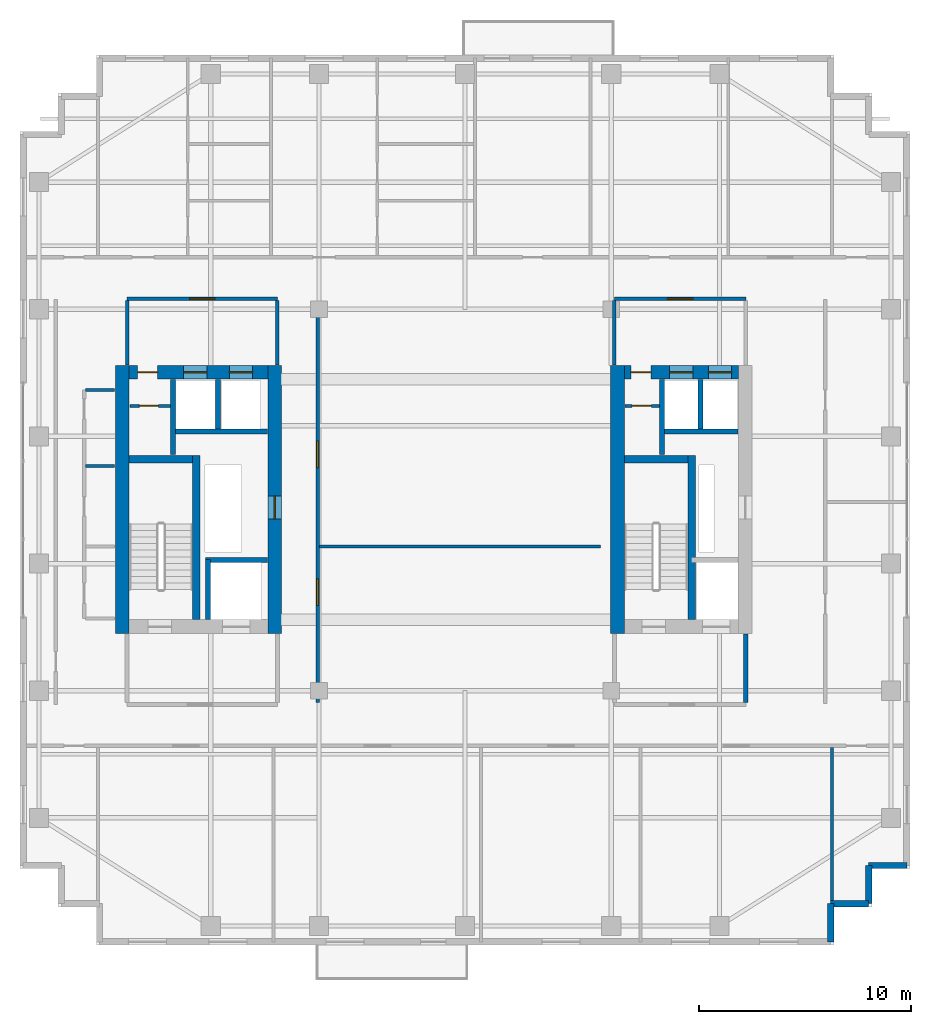
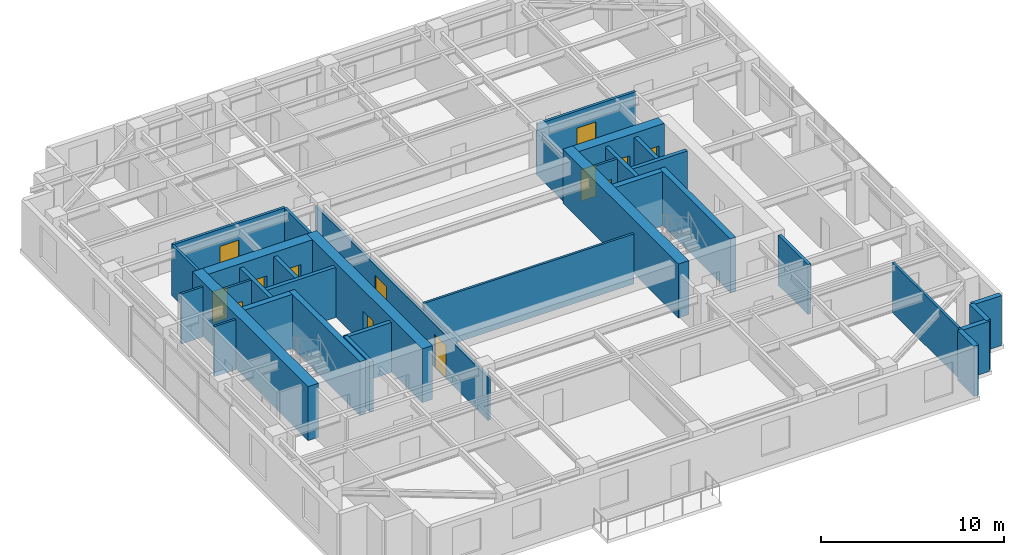
# One storey, part 10 of 14: 34 walls, 13 doors, 13 openings.
"""IFC4 building model written with IfcOpenShell, lengths in metres."""

import ifcopenshell
import ifcopenshell.guid

model = None  # the IFC model being written
_history = None  # IfcOwnerHistory: only IFC2X3 demands one
_inside = {}  # id of a spatial element -> (the spatial element, [elements in it])
_under = {}  # id of a project, library or spatial element -> (it, [spatial elements below it])
_declared = {}  # id of a project -> (the project, [libraries it declares])
_typed = {}  # id of a type object -> (the type object, [elements of that type])
_made_of = {}  # id of a material, layer set ... -> (it, [elements and type objects made of it])


def new_model(schema):
    """Start an empty IFC model of exactly this schema.

    Asked for "IFC4X3", IfcOpenShell would pick the latest addendum, in which some entities
    have other attributes; the version numbers below select the first issue.
    IFC2X3 requires an IfcOwnerHistory on every rooted entity: one is made here for all.
    """
    global model, _history
    if schema == "IFC4X3":
        model = ifcopenshell.file(schema_version=(4, 3, 0, 0))
    else:
        model = ifcopenshell.file(schema=schema)
    _inside.clear()
    _under.clear()
    _declared.clear()
    _typed.clear()
    _made_of.clear()
    _history = None
    if model.schema == "IFC2X3":
        org = make("IfcOrganization", Name="unknown")
        user = make(
            "IfcPersonAndOrganization",
            ThePerson=make("IfcPerson", FamilyName="unknown"),
            TheOrganization=org,
        )
        app = make(
            "IfcApplication",
            ApplicationDeveloper=org,
            Version="unknown",
            ApplicationFullName="unknown",
            ApplicationIdentifier="unknown",
        )
        _history = make(
            "IfcOwnerHistory",
            OwningUser=user,
            OwningApplication=app,
            ChangeAction="ADDED",
            CreationDate=0,
        )
    return model


def make(cls, **values):
    """One entity of the class cls with the attributes given. An attribute that is None is left unset."""
    return model.create_entity(
        cls, **{name: value for name, value in values.items() if value is not None}
    )


def rooted(cls, **values):
    """An entity with a GlobalId (a new one), such as an element, a storey or a relation."""
    return make(cls, GlobalId=ifcopenshell.guid.new(), OwnerHistory=_history, **values)


def si_unit(unit_type, name, prefix=None):
    """IfcSIUnit, for example si_unit("LENGTHUNIT", "METRE", prefix="MILLI")."""
    return make("IfcSIUnit", UnitType=unit_type, Prefix=prefix, Name=name)


def assignment(units):
    """IfcUnitAssignment: the units of a project."""
    return None if units is None else make("IfcUnitAssignment", Units=units)


def point(xyz):
    """IfcCartesianPoint."""
    return None if xyz is None else make("IfcCartesianPoint", Coordinates=xyz)


def direction(xyz):
    """IfcDirection."""
    return None if xyz is None else make("IfcDirection", DirectionRatios=xyz)


def frame(location, z_axis=None, x_axis=None):
    """IfcAxis2Placement3D, a coordinate frame: its origin and axes. An axis left out is left unset."""
    return make(
        "IfcAxis2Placement3D",
        Location=point(location),
        Axis=direction(z_axis),
        RefDirection=direction(x_axis),
    )


def frame_2d(location, x_axis=None):
    """IfcAxis2Placement2D, a coordinate frame in the plane: its origin and x axis."""
    return make(
        "IfcAxis2Placement2D", Location=point(location), RefDirection=direction(x_axis)
    )


def origin():
    """The frame at (0, 0, 0) with its axes left unset."""
    return frame((0.0, 0.0, 0.0))


def place(relative_to, where):
    """IfcLocalPlacement: puts the frame where relative to a parent placement (None: the world)."""
    return make(
        "IfcLocalPlacement", PlacementRelTo=relative_to, RelativePlacement=where
    )


def context(
    kind, dimensions, precision=None, world=None, true_north=None, identifier=None
):
    """IfcGeometricRepresentationContext, for example the 3D "Model" context."""
    return make(
        "IfcGeometricRepresentationContext",
        ContextIdentifier=identifier,
        ContextType=kind,
        CoordinateSpaceDimension=dimensions,
        Precision=precision,
        WorldCoordinateSystem=world,
        TrueNorth=true_north,
    )


def subcontext(parent, identifier, kind, view, scale=None):
    """IfcGeometricRepresentationSubContext, for example "Body" below "Model"."""
    return make(
        "IfcGeometricRepresentationSubContext",
        ContextIdentifier=identifier,
        ContextType=kind,
        ParentContext=parent,
        TargetScale=scale,
        TargetView=view,
    )


def project(units=None, contexts=None):
    """IfcProject with its units and contexts."""
    return rooted(
        "IfcProject",
        Name="project",
        RepresentationContexts=contexts,
        UnitsInContext=assignment(units),
    )


def spatial(cls, under=None, at=None, **own):
    """A site, building, storey or space (cls), placed at a placement, below another one or the project."""
    s = rooted(cls, ObjectPlacement=at, **own)
    if under is not None:
        _under.setdefault(under.id(), (under, []))[1].append(s)
    return s


def profile(cls, at=None, kind="AREA", **sizes):
    """A parametric profile (cls). Its sizes go by their IFC names, for example OverallWidth=200.0."""
    return make(cls, ProfileType=kind, Position=at, **sizes)


def rectangle(**sizes):
    """IfcRectangleProfileDef."""
    return profile("IfcRectangleProfileDef", **sizes)


def extrude(swept, where, along, depth):
    """IfcExtrudedAreaSolid: the profile swept, set in the frame where, extruded along a direction by depth."""
    return make(
        "IfcExtrudedAreaSolid",
        SweptArea=swept,
        Position=where,
        ExtrudedDirection=direction(along),
        Depth=depth,
    )


def shape(context_of_items, identifier, shape_type, items):
    """IfcShapeRepresentation: the items that make up one representation, for example the "Body"."""
    return make(
        "IfcShapeRepresentation",
        ContextOfItems=context_of_items,
        RepresentationIdentifier=identifier,
        RepresentationType=shape_type,
        Items=items,
    )


def source(mapping_origin, context_of_items, identifier, shape_type, items):
    """IfcRepresentationMap: a shape defined once, which mapped items show again and again."""
    return make(
        "IfcRepresentationMap",
        MappingOrigin=mapping_origin,
        MappedRepresentation=shape(context_of_items, identifier, shape_type, items),
    )


def transform(
    local_origin,
    x_axis=None,
    y_axis=None,
    z_axis=None,
    scale=None,
    scale2=None,
    scale3=None,
    uniform=True,
):
    """IfcCartesianTransformationOperator3D, or its non-uniform kind. x_axis, y_axis, z_axis: its Axis1, 2, 3."""
    if uniform:
        return make(
            "IfcCartesianTransformationOperator3D",
            Axis1=direction(x_axis),
            Axis2=direction(y_axis),
            LocalOrigin=point(local_origin),
            Scale=scale,
            Axis3=direction(z_axis),
        )
    return make(
        "IfcCartesianTransformationOperator3DnonUniform",
        Axis1=direction(x_axis),
        Axis2=direction(y_axis),
        LocalOrigin=point(local_origin),
        Scale=scale,
        Axis3=direction(z_axis),
        Scale2=scale2,
        Scale3=scale3,
    )


def mapped(mapping_source, mapping_target):
    """IfcMappedItem: shows the shape of a source again, moved by a transform."""
    return make(
        "IfcMappedItem", MappingSource=mapping_source, MappingTarget=mapping_target
    )


def material(Name=None, Category=None):
    """IfcMaterial."""
    return make("IfcMaterial", Name=Name, Category=Category)


def layer(
    of_material, thickness, ventilated=None, Name=None, Category=None, Priority=None
):
    """IfcMaterialLayer: one layer of a wall or slab, of a material (None: an air gap)."""
    return make(
        "IfcMaterialLayer",
        Material=of_material,
        LayerThickness=thickness,
        IsVentilated=ventilated,
        Name=Name,
        Category=Category,
        Priority=Priority,
    )


def layer_set(layers, Name=None):
    """IfcMaterialLayerSet."""
    return make("IfcMaterialLayerSet", MaterialLayers=layers, LayerSetName=Name)


def made_of(thing, what):
    """Note that an element or type object is made of a material, layer set ...; save() writes the relation."""
    if what is not None:
        _made_of.setdefault(what.id(), (what, []))[1].append(thing)
    return thing


def type_object(cls, material=None, **own):
    """A type object (cls), such as IfcWallType, which elements share."""
    return made_of(rooted(cls, **own), material)


def element(
    cls,
    number,
    at=None,
    inside=None,
    cuts=None,
    type_object=None,
    material=None,
    context=None,
    identifier="Body",
    shape_type=None,
    held_by="IfcProductDefinitionShape",
    body=None,
    shapes=None,
    **own,
):
    """One element of the class cls, such as IfcWall. Its Tag is "e" and its number.

    at: its placement. inside: the storey or other place that contains it. cuts: it is an
    opening in that element (IfcRelVoidsElement). A single representation is given by context,
    identifier, shape_type and body (its items); several are given by shapes. held_by: the class
    of the entity that holds the representations. save() writes the other relations.
    """
    e = rooted(cls, Tag="e%d" % number, ObjectPlacement=at, **own)
    if body is not None:
        shapes = [shape(context, identifier, shape_type, body)]
    if shapes is not None:
        e.Representation = make(held_by, Representations=shapes)
    if inside is not None:
        _inside.setdefault(inside.id(), (inside, []))[1].append(e)
    if cuts is not None:
        rooted(
            "IfcRelVoidsElement", RelatingBuildingElement=cuts, RelatedOpeningElement=e
        )
    if type_object is not None:
        _typed.setdefault(type_object.id(), (type_object, []))[1].append(e)
    return made_of(e, material)


def fill(opening, filler):
    """IfcRelFillsElement: the door or window that sits in an opening."""
    return rooted(
        "IfcRelFillsElement",
        RelatingOpeningElement=opening,
        RelatedBuildingElement=filler,
    )


def aggregate(whole, parts):
    """IfcRelAggregates: a whole, such as a stair, and the parts it consists of."""
    return rooted("IfcRelAggregates", RelatingObject=whole, RelatedObjects=parts)


def save(model, path):
    """Write the relations noted so far, then the file.

    IfcRelAggregates (storeys below a building ...), IfcRelContainedInSpatialStructure (elements
    in a storey), IfcRelDefinesByType, IfcRelAssociatesMaterial and IfcRelDeclares: one each for
    every whole, place, type object, material and project.
    """
    for whole, parts in _under.values():
        aggregate(whole, parts)
    for where, things in _inside.values():
        rooted(
            "IfcRelContainedInSpatialStructure",
            RelatedElements=things,
            RelatingStructure=where,
        )
    for kind, things in _typed.values():
        rooted("IfcRelDefinesByType", RelatedObjects=things, RelatingType=kind)
    for what, things in _made_of.values():
        rooted("IfcRelAssociatesMaterial", RelatedObjects=things, RelatingMaterial=what)
    for by, libraries in _declared.values():
        rooted("IfcRelDeclares", RelatingContext=by, RelatedDefinitions=libraries)
    model.write(path)


model = new_model("IFC4")

# Units and contexts
model_context = context("Model", 3, precision=1e-05, world=origin(), true_north=direction((0.0, 1.0)))
body_context = subcontext(model_context, "Body", "Model", "MODEL_VIEW")
ifc_project = project(units=[si_unit("LENGTHUNIT", "METRE"), si_unit("AREAUNIT", "SQUARE_METRE"), si_unit("VOLUMEUNIT", "CUBIC_METRE"), si_unit("PLANEANGLEUNIT", "RADIAN"), si_unit("MASSUNIT", "GRAM", prefix="KILO")], contexts=[model_context])

# Site, building, storey
site_placement = place(None, origin())
site = spatial("IfcSite", under=ifc_project, at=site_placement, CompositionType="ELEMENT")
building_placement = place(site_placement, origin())
building = spatial("IfcBuilding", under=site, at=building_placement, Name="Khoralis Quay Care Tower", CompositionType="ELEMENT")
storey_placement = place(building_placement, frame((0.0, 0.0, 177.300048828125)))
storey = spatial("IfcBuildingStorey", under=building, at=storey_placement, Name="L46", CompositionType="ELEMENT", Elevation=177.300048828125)

# Walls
ifc_material_1 = material(Name="Gypsum plasterboard on acoustic metal stud")
ifc_layer_1 = layer(ifc_material_1, 0.199951171875)
ifc_layer_set_1 = layer_set([ifc_layer_1], Name="Gypsum plasterboard on acoustic metal stud")
wall_type_1 = type_object("IfcWallType", Name="WL-COMP-200", PredefinedType="PARTITIONING", material=ifc_layer_set_1)
wall_1_placement = place(storey_placement, frame((37.25, 11.445068359375, 0.0), z_axis=(0.0, 0.0, 1.0), x_axis=(0.0, 1.0, 0.0)))
element("IfcWall", 1, at=wall_1_placement, inside=storey, type_object=wall_type_1, Name="L46 East Firefighting Lobby East Wall", PredefinedType="PARTITIONING", context=body_context, shape_type="SweptSolid", body=[
    extrude(rectangle(XDim=3.23486328125, YDim=0.199951171875, at=frame_2d((1.617431640625, 0.0))), origin(), (0.0, 0.0, 1.0), 3.33984375),
])
ifc_material_2 = material(Name="Concrete C65/80", Category="concrete")
ifc_layer_2 = layer(ifc_material_2, 0.64990234375)
ifc_layer_set_2 = layer_set([ifc_layer_2], Name="Concrete C65/80")
wall_type_2 = type_object("IfcWallType", Name="WL-CORE-650", PredefinedType="SHEAR", material=ifc_layer_set_2)
wall_2_placement = place(storey_placement, frame((7.824951171875, 14.699951171875, 0.0), z_axis=(0.0, 0.0, 1.0), x_axis=(0.0, 1.0, 0.0)))
element("IfcWall", 2, at=wall_2_placement, inside=storey, type_object=wall_type_2, Name="L46 WCORE West Shear Wall", PredefinedType="SHEAR", context=body_context, shape_type="SweptSolid", body=[
    extrude(rectangle(XDim=12.650146484375, YDim=0.64990234375, at=frame_2d((6.3251953125, 0.0))), origin(), (0.0, 0.0, 1.0), 3.599853515625),
])

# Wall, opening, door
wall_3_placement = place(storey_placement, frame((15.02490234375, 14.699951171875, 0.0), z_axis=(0.0, 0.0, 1.0), x_axis=(0.0, 1.0, 0.0)))
wall_3 = element("IfcWall", 3, at=wall_3_placement, inside=storey, type_object=wall_type_2, Name="L46 WCORE East Shear Wall", PredefinedType="SHEAR", context=body_context, shape_type="SweptSolid", body=[
    extrude(rectangle(XDim=12.650146484375, YDim=0.64990234375, at=frame_2d((6.3251953125, 0.0))), origin(), (0.0, 0.0, 1.0), 3.599853515625),
])
opening_1_placement = place(wall_3_placement, frame((5.39990234375, 0.0, 0.0)))
opening_1 = element("IfcOpeningElement", 4, at=opening_1_placement, cuts=wall_3, Name="Opening SD1", PredefinedType="OPENING", context=body_context, shape_type="SweptSolid", body=[
    extrude(rectangle(XDim=1.10009765625, YDim=2.199951171875, at=frame_2d((0.550048828125, 1.10009765625))), frame((0.0, 0.3349609375, 0.0), z_axis=(0.0, -1.0, 0.0), x_axis=(1.0, 0.0, 0.0)), (0.0, 0.0, 1.0), 0.669921875),
])
ifc_material_3 = material(Name="Fire-rated painted steel", Category="steel")
door_type_1 = type_object("IfcDoorType", Name="DR-STAIR-1100X2200", OperationType="NOTDEFINED", PredefinedType="DOOR", material=ifc_material_3)
shared_shape_1 = source(origin(), body_context, "Body", "SweptSolid", [
    extrude(rectangle(XDim=1.10009765625, YDim=2.199951171875, at=frame_2d((0.550048828125, 1.10009765625))), frame((0.0, 0.02490234375, 0.0), z_axis=(0.0, -1.0, 0.0), x_axis=(1.0, 0.0, 0.0)), (0.0, 0.0, 1.0), 0.050048828125),
])
door_1_placement = place(opening_1_placement, origin())
door_1 = element("IfcDoor", 5, at=door_1_placement, inside=storey, type_object=door_type_1, Name="L46 West MEP Riser Door", OperationType="SINGLE_SWING_RIGHT", OverallHeight=2.199951171875, OverallWidth=1.10009765625, PredefinedType="DOOR", context=body_context, shape_type="MappedRepresentation", body=[
    mapped(shared_shape_1, transform((0.0, 0.0, 0.0), scale=1.0)),
])
fill(opening_1, door_1)

# Wall, openings, doors
wall_4_placement = place(storey_placement, frame((8.14990234375, 27.02490234375, 0.0), z_axis=(0.0, 0.0, 1.0), x_axis=(1.0, 0.0, 0.0)))
wall_4 = element("IfcWall", 6, at=wall_4_placement, inside=storey, type_object=wall_type_2, Name="L46 WCORE North Shear Wall", PredefinedType="SHEAR", context=body_context, shape_type="SweptSolid", body=[
    extrude(rectangle(XDim=6.550048828125, YDim=0.64990234375, at=frame_2d((3.27490234375, 0.0))), origin(), (0.0, 0.0, 1.0), 3.599853515625),
])
opening_2_placement = place(wall_4_placement, frame((0.39990234375, 0.0, 0.0)))
opening_2 = element("IfcOpeningElement", 7, at=opening_2_placement, cuts=wall_4, Name="Opening ID1", PredefinedType="OPENING", context=body_context, shape_type="SweptSolid", body=[
    extrude(rectangle(XDim=0.949951171875, YDim=2.10009765625, at=frame_2d((0.47509765625, 1.050048828125))), frame((0.0, 0.3349609375, 0.0), z_axis=(0.0, -1.0, 0.0), x_axis=(1.0, 0.0, 0.0)), (0.0, 0.0, 1.0), 0.669921875),
])
opening_3_placement = place(wall_4_placement, frame((2.570068359375, 0.0, 0.0)))
opening_3 = element("IfcOpeningElement", 8, at=opening_3_placement, cuts=wall_4, Name="Opening LD1", PredefinedType="OPENING", context=body_context, shape_type="SweptSolid", body=[
    extrude(rectangle(XDim=1.10009765625, YDim=2.199951171875, at=frame_2d((0.550048828125, 1.10009765625))), frame((0.0, 0.3349609375, 0.0), z_axis=(0.0, -1.0, 0.0), x_axis=(1.0, 0.0, 0.0)), (0.0, 0.0, 1.0), 0.669921875),
])
opening_4_placement = place(wall_4_placement, frame((4.72998046875, 0.0, 0.0)))
opening_4 = element("IfcOpeningElement", 9, at=opening_4_placement, cuts=wall_4, Name="Opening LD1", PredefinedType="OPENING", context=body_context, shape_type="SweptSolid", body=[
    extrude(rectangle(XDim=1.10009765625, YDim=2.199951171875, at=frame_2d((0.550048828125, 1.10009765625))), frame((0.0, 0.3349609375, 0.0), z_axis=(0.0, -1.0, 0.0), x_axis=(1.0, 0.0, 0.0)), (0.0, 0.0, 1.0), 0.669921875),
])
ifc_material_4 = material(Name="Brushed stainless steel", Category="steel")
door_type_2 = type_object("IfcDoorType", Name="DR-LIFT-1100X2200", OperationType="SLIDING_TO_LEFT", PredefinedType="DOOR", material=ifc_material_4)
shared_shape_2 = source(origin(), body_context, "Body", "SweptSolid", [
    extrude(rectangle(XDim=1.10009765625, YDim=2.199951171875, at=frame_2d((0.550048828125, 1.10009765625))), frame((0.0, 0.02490234375, 0.0), z_axis=(0.0, -1.0, 0.0), x_axis=(1.0, 0.0, 0.0)), (0.0, 0.0, 1.0), 0.050048828125),
])
door_2_placement = place(opening_3_placement, origin())
door_2 = element("IfcDoor", 10, at=door_2_placement, inside=storey, type_object=door_type_2, Name="L46 Lift PLM1 Landing Door", OperationType="SLIDING_TO_LEFT", OverallHeight=2.199951171875, OverallWidth=1.10009765625, PredefinedType="DOOR", context=body_context, shape_type="MappedRepresentation", body=[
    mapped(shared_shape_2, transform((0.0, 0.0, 0.0), scale=1.0)),
])
fill(opening_3, door_2)
door_3_placement = place(opening_4_placement, origin())
door_3 = element("IfcDoor", 11, at=door_3_placement, inside=storey, type_object=door_type_2, Name="L46 Lift PLH1 Landing Door", OperationType="SLIDING_TO_LEFT", OverallHeight=2.199951171875, OverallWidth=1.10009765625, PredefinedType="DOOR", context=body_context, shape_type="MappedRepresentation", body=[
    mapped(shared_shape_2, transform((0.0, 0.0, 0.0), scale=1.0)),
])
fill(opening_4, door_3)
ifc_material_5 = material(Name="Acoustic hardwood timber", Category="wood")
door_type_3 = type_object("IfcDoorType", Name="DR-ROOM-950X2100", OperationType="NOTDEFINED", PredefinedType="DOOR", material=ifc_material_5)
shared_shape_3 = source(origin(), body_context, "Body", "SweptSolid", [
    extrude(rectangle(XDim=0.949951171875, YDim=2.10009765625, at=frame_2d((0.47509765625, 1.050048828125))), frame((0.0, 0.02490234375, 0.0), z_axis=(0.0, -1.0, 0.0), x_axis=(1.0, 0.0, 0.0)), (0.0, 0.0, 1.0), 0.050048828125),
])
door_4_placement = place(opening_2_placement, frame((0.949951171875, 0.0, 0.0), z_axis=(0.0, 0.0, 1.0), x_axis=(-1.0, 0.0, 0.0)))
door_4 = element("IfcDoor", 12, at=door_4_placement, inside=storey, type_object=door_type_3, Name="L46 Medication Store Door", OperationType="SINGLE_SWING_RIGHT", OverallHeight=2.10009765625, OverallWidth=0.949951171875, PredefinedType="DOOR", context=body_context, shape_type="MappedRepresentation", body=[
    mapped(shared_shape_3, transform((0.0, 0.0, 0.0), scale=1.0)),
])
fill(opening_2, door_4)

# Wall
wall_5_placement = place(storey_placement, frame((31.195068359375, 14.699951171875, 0.0), z_axis=(0.0, 0.0, 1.0), x_axis=(0.0, 1.0, 0.0)))
element("IfcWall", 13, at=wall_5_placement, inside=storey, type_object=wall_type_2, Name="L46 ECORE West Shear Wall", PredefinedType="SHEAR", context=body_context, shape_type="SweptSolid", body=[
    extrude(rectangle(XDim=12.650146484375, YDim=0.64990234375, at=frame_2d((6.3251953125, 0.0))), origin(), (0.0, 0.0, 1.0), 3.599853515625),
])

# Wall, openings, doors
wall_6_placement = place(storey_placement, frame((31.52001953125, 27.02490234375, 0.0), z_axis=(0.0, 0.0, 1.0), x_axis=(1.0, 0.0, 0.0)))
wall_6 = element("IfcWall", 14, at=wall_6_placement, inside=storey, type_object=wall_type_2, Name="L46 ECORE North Shear Wall", PredefinedType="SHEAR", context=body_context, shape_type="SweptSolid", body=[
    extrude(rectangle(XDim=5.3798828125, YDim=0.64990234375, at=frame_2d((2.68994140625, 0.0))), origin(), (0.0, 0.0, 1.0), 3.599853515625),
])
opening_5_placement = place(wall_6_placement, frame((0.300048828125, 0.0, 0.0)))
opening_5 = element("IfcOpeningElement", 15, at=opening_5_placement, cuts=wall_6, Name="Opening ID1", PredefinedType="OPENING", context=body_context, shape_type="SweptSolid", body=[
    extrude(rectangle(XDim=0.949951171875, YDim=2.10009765625, at=frame_2d((0.47509765625, 1.050048828125))), frame((0.0, 0.3349609375, 0.0), z_axis=(0.0, -1.0, 0.0), x_axis=(1.0, 0.0, 0.0)), (0.0, 0.0, 1.0), 0.669921875),
])
opening_6_placement = place(wall_6_placement, frame((2.1298828125, 0.0, 0.0)))
opening_6 = element("IfcOpeningElement", 16, at=opening_6_placement, cuts=wall_6, Name="Opening LD1", PredefinedType="OPENING", context=body_context, shape_type="SweptSolid", body=[
    extrude(rectangle(XDim=1.10009765625, YDim=2.199951171875, at=frame_2d((0.550048828125, 1.10009765625))), frame((0.0, 0.3349609375, 0.0), z_axis=(0.0, -1.0, 0.0), x_axis=(1.0, 0.0, 0.0)), (0.0, 0.0, 1.0), 0.669921875),
])
opening_7_placement = place(wall_6_placement, frame((3.9599609375, 0.0, 0.0)))
opening_7 = element("IfcOpeningElement", 17, at=opening_7_placement, cuts=wall_6, Name="Opening LD1", PredefinedType="OPENING", context=body_context, shape_type="SweptSolid", body=[
    extrude(rectangle(XDim=1.10009765625, YDim=2.199951171875, at=frame_2d((0.550048828125, 1.10009765625))), frame((0.0, 0.3349609375, 0.0), z_axis=(0.0, -1.0, 0.0), x_axis=(1.0, 0.0, 0.0)), (0.0, 0.0, 1.0), 0.669921875),
])
door_5_placement = place(opening_6_placement, origin())
door_5 = element("IfcDoor", 18, at=door_5_placement, inside=storey, type_object=door_type_2, Name="L46 Lift PLM2 Landing Door", OperationType="SLIDING_TO_LEFT", OverallHeight=2.199951171875, OverallWidth=1.10009765625, PredefinedType="DOOR", context=body_context, shape_type="MappedRepresentation", body=[
    mapped(shared_shape_2, transform((0.0, 0.0, 0.0), scale=1.0)),
])
fill(opening_6, door_5)
door_6_placement = place(opening_7_placement, origin())
door_6 = element("IfcDoor", 19, at=door_6_placement, inside=storey, type_object=door_type_2, Name="L46 Lift PLH2 Landing Door", OperationType="SLIDING_TO_LEFT", OverallHeight=2.199951171875, OverallWidth=1.10009765625, PredefinedType="DOOR", context=body_context, shape_type="MappedRepresentation", body=[
    mapped(shared_shape_2, transform((0.0, 0.0, 0.0), scale=1.0)),
])
fill(opening_7, door_6)
door_7_placement = place(opening_5_placement, frame((0.949951171875, 0.0, 0.0), z_axis=(0.0, 0.0, 1.0), x_axis=(-1.0, 0.0, 0.0)))
door_7 = element("IfcDoor", 20, at=door_7_placement, inside=storey, type_object=door_type_3, Name="L46 Nutrition Store Door", OperationType="SINGLE_SWING_LEFT", OverallHeight=2.10009765625, OverallWidth=0.949951171875, PredefinedType="DOOR", context=body_context, shape_type="MappedRepresentation", body=[
    mapped(shared_shape_3, transform((0.0, 0.0, 0.0), scale=1.0)),
])
fill(opening_5, door_7)

# Wall, opening, door
ifc_layer_3 = layer(ifc_material_1, 0.1650390625)
ifc_layer_set_3 = layer_set([ifc_layer_3], Name="Gypsum plasterboard on acoustic metal stud")
wall_type_3 = type_object("IfcWallType", Name="WL-CORR-165", PredefinedType="PARTITIONING", material=ifc_layer_set_3)
wall_7_placement = place(storey_placement, frame((8.050048828125, 30.5, 0.0), z_axis=(0.0, 0.0, 1.0), x_axis=(1.0, 0.0, 0.0)))
wall_7 = element("IfcWall", 21, at=wall_7_placement, inside=storey, type_object=wall_type_3, Name="L46 West Lift Lobby North Wall", PredefinedType="PARTITIONING", context=body_context, shape_type="SweptSolid", body=[
    extrude(rectangle(XDim=7.099853515625, YDim=0.1650390625, at=frame_2d((3.5498046875, 0.0))), origin(), (0.0, 0.0, 1.0), 3.33984375),
])
opening_8_placement = place(wall_7_placement, frame((2.949951171875, 0.0, 0.0)))
opening_8 = element("IfcOpeningElement", 22, at=opening_8_placement, cuts=wall_7, Name="Opening FD1", PredefinedType="OPENING", context=body_context, shape_type="SweptSolid", body=[
    extrude(rectangle(XDim=1.199951171875, YDim=2.199951171875, at=frame_2d((0.60009765625, 1.10009765625))), frame((0.0, 0.092529296875, 0.0), z_axis=(0.0, -1.0, 0.0), x_axis=(1.0, 0.0, 0.0)), (0.0, 0.0, 1.0), 0.18505859375),
])
door_type_4 = type_object("IfcDoorType", Name="DR-FFL-1200X2200", OperationType="NOTDEFINED", PredefinedType="DOOR", material=ifc_material_3)
shared_shape_4 = source(origin(), body_context, "Body", "SweptSolid", [
    extrude(rectangle(XDim=1.199951171875, YDim=2.199951171875, at=frame_2d((0.60009765625, 1.10009765625))), frame((0.0, 0.02490234375, 0.0), z_axis=(0.0, -1.0, 0.0), x_axis=(1.0, 0.0, 0.0)), (0.0, 0.0, 1.0), 0.050048828125),
])
door_8_placement = place(opening_8_placement, origin())
door_8 = element("IfcDoor", 23, at=door_8_placement, inside=storey, type_object=door_type_4, Name="L46 West Lift Lobby Double Door", OperationType="DOUBLE_DOOR_SINGLE_SWING", OverallHeight=2.199951171875, OverallWidth=1.199951171875, PredefinedType="DOOR", context=body_context, shape_type="MappedRepresentation", body=[
    mapped(shared_shape_4, transform((0.0, 0.0, 0.0), scale=1.0)),
])
fill(opening_8, door_8)

# Walls
for number, where, z_axis, x_axis, name in (
    (24, (8.050048828125, 27.3701171875, 0.0), (0.0, 0.0, 1.0), (0.0, 1.0, 0.0), "L46 West Lift Lobby West Wall"),
    (25, (15.14990234375, 27.3701171875, 0.0), (0.0, 0.0, 1.0), (0.0, 1.0, 0.0), "L46 West Lift Lobby East Wall"),
):
    element("IfcWall", number, at=place(storey_placement, frame(where, z_axis=z_axis, x_axis=x_axis)), inside=storey, type_object=wall_type_3, Name=name, PredefinedType="PARTITIONING", context=body_context, shape_type="SweptSolid", body=[
        extrude(rectangle(XDim=3.052490234375, YDim=0.1650390625, at=frame_2d((1.5263671875, 0.0))), origin(), (0.0, 0.0, 1.0), 3.33984375),
    ])

# Wall, opening, door
wall_8_placement = place(storey_placement, frame((31.050048828125, 30.5, 0.0), z_axis=(0.0, 0.0, 1.0), x_axis=(1.0, 0.0, 0.0)))
wall_8 = element("IfcWall", 26, at=wall_8_placement, inside=storey, type_object=wall_type_3, Name="L46 East Lift Lobby North Wall", PredefinedType="PARTITIONING", context=body_context, shape_type="SweptSolid", body=[
    extrude(rectangle(XDim=6.199951171875, YDim=0.1650390625, at=frame_2d((3.10009765625, 0.0))), origin(), (0.0, 0.0, 1.0), 3.33984375),
])
opening_9_placement = place(wall_8_placement, frame((2.5, 0.0, 0.0)))
opening_9 = element("IfcOpeningElement", 27, at=opening_9_placement, cuts=wall_8, Name="Opening FD1", PredefinedType="OPENING", context=body_context, shape_type="SweptSolid", body=[
    extrude(rectangle(XDim=1.199951171875, YDim=2.199951171875, at=frame_2d((0.60009765625, 1.10009765625))), frame((0.0, 0.092529296875, 0.0), z_axis=(0.0, -1.0, 0.0), x_axis=(1.0, 0.0, 0.0)), (0.0, 0.0, 1.0), 0.18505859375),
])
door_9_placement = place(opening_9_placement, origin())
door_9 = element("IfcDoor", 28, at=door_9_placement, inside=storey, type_object=door_type_4, Name="L46 East Lift Lobby Double Door", OperationType="DOUBLE_DOOR_SINGLE_SWING", OverallHeight=2.199951171875, OverallWidth=1.199951171875, PredefinedType="DOOR", context=body_context, shape_type="MappedRepresentation", body=[
    mapped(shared_shape_4, transform((0.0, 0.0, 0.0), scale=1.0)),
])
fill(opening_9, door_9)

# Wall
wall_9_placement = place(storey_placement, frame((31.050048828125, 27.3701171875, 0.0), z_axis=(0.0, 0.0, 1.0), x_axis=(0.0, 1.0, 0.0)))
element("IfcWall", 29, at=wall_9_placement, inside=storey, type_object=wall_type_3, Name="L46 East Lift Lobby West Wall", PredefinedType="PARTITIONING", context=body_context, shape_type="SweptSolid", body=[
    extrude(rectangle(XDim=3.052490234375, YDim=0.1650390625, at=frame_2d((1.5263671875, 0.0))), origin(), (0.0, 0.0, 1.0), 2.876953125),
])

# Wall, openings, doors
wall_10_placement = place(storey_placement, frame((17.050048828125, 11.449951171875, 0.0), z_axis=(0.0, 0.0, 1.0), x_axis=(0.0, 1.0, 0.0)))
wall_10 = element("IfcWall", 30, at=wall_10_placement, inside=storey, type_object=wall_type_3, Name="L46 West Portal Spine Wall", PredefinedType="PARTITIONING", context=body_context, shape_type="SweptSolid", body=[
    extrude(rectangle(XDim=18.900146484375, YDim=0.1650390625, at=frame_2d((9.4501953125, 0.0))), origin(), (0.0, 0.0, 1.0), 2.876953125),
])
opening_10_placement = place(wall_10_placement, frame((4.574951171875, 0.0, 0.0)))
opening_10 = element("IfcOpeningElement", 31, at=opening_10_placement, cuts=wall_10, Name="Opening CD1", PredefinedType="OPENING", context=body_context, shape_type="SweptSolid", body=[
    extrude(rectangle(XDim=1.25, YDim=2.199951171875, at=frame_2d((0.625, 1.10009765625))), frame((0.0, 0.092529296875, 0.0), z_axis=(0.0, -1.0, 0.0), x_axis=(1.0, 0.0, 0.0)), (0.0, 0.0, 1.0), 0.18505859375),
])
opening_11_placement = place(wall_10_placement, frame((11.074951171875, 0.0, 0.0)))
opening_11 = element("IfcOpeningElement", 32, at=opening_11_placement, cuts=wall_10, Name="Opening CD1", PredefinedType="OPENING", context=body_context, shape_type="SweptSolid", body=[
    extrude(rectangle(XDim=1.25, YDim=2.199951171875, at=frame_2d((0.625, 1.10009765625))), frame((0.0, 0.092529296875, 0.0), z_axis=(0.0, -1.0, 0.0), x_axis=(1.0, 0.0, 0.0)), (0.0, 0.0, 1.0), 0.18505859375),
])
door_type_5 = type_object("IfcDoorType", Name="DR-CARE-1250X2200", OperationType="NOTDEFINED", PredefinedType="DOOR", material=ifc_material_5)
shared_shape_5 = source(origin(), body_context, "Body", "SweptSolid", [
    extrude(rectangle(XDim=1.25, YDim=2.199951171875, at=frame_2d((0.625, 1.10009765625))), frame((0.0, 0.02490234375, 0.0), z_axis=(0.0, -1.0, 0.0), x_axis=(1.0, 0.0, 0.0)), (0.0, 0.0, 1.0), 0.050048828125),
])
door_10_placement = place(opening_10_placement, origin())
door_10 = element("IfcDoor", 33, at=door_10_placement, inside=storey, type_object=door_type_5, Name="L46 Nurse Station Door", OperationType="SINGLE_SWING_LEFT", OverallHeight=2.199951171875, OverallWidth=1.25, PredefinedType="DOOR", context=body_context, shape_type="MappedRepresentation", body=[
    mapped(shared_shape_5, transform((0.0, 0.0, 0.0), scale=1.0)),
])
fill(opening_10, door_10)
door_11_placement = place(opening_11_placement, origin())
door_11 = element("IfcDoor", 34, at=door_11_placement, inside=storey, type_object=door_type_5, Name="L46 Activity Hall Door", OperationType="SINGLE_SWING_RIGHT", OverallHeight=2.199951171875, OverallWidth=1.25, PredefinedType="DOOR", context=body_context, shape_type="MappedRepresentation", body=[
    mapped(shared_shape_5, transform((0.0, 0.0, 0.0), scale=1.0)),
])
fill(opening_11, door_11)

# Walls
ifc_material_6 = material(Name="Precast concrete C45/55", Category="concrete")
ifc_layer_4 = layer(ifc_material_6, 0.300048828125)
ifc_layer_set_4 = layer_set([ifc_layer_4], Name="Precast concrete C45/55")
wall_type_4 = type_object("IfcWallType", Name="WL-EXT-REF-300", PredefinedType="SOLIDWALL", material=ifc_layer_set_4)
for number, where, z_axis, x_axis, name in (
    (35, (41.25, 0.14990234375, 0.0), (0.0, 0.0, 1.0), (0.0, 1.0, 0.0), "L46 External Facade Wall WL-EXT-L46-P1-C1"),
    (36, (41.25, 1.949951171875, 0.0), (0.0, 0.0, 1.0), (1.0, 0.0, 0.0), "L46 External Facade Wall WL-EXT-L46-P1-C2"),
    (37, (43.050048828125, 1.949951171875, 0.0), (0.0, 0.0, 1.0), (0.0, 1.0, 0.0), "L46 External Facade Wall WL-EXT-L46-P1-C3"),
    (38, (43.050048828125, 3.75, 0.0), (0.0, 0.0, 1.0), (1.0, 0.0, 0.0), "L46 External Facade Wall WL-EXT-L46-P1-C4"),
):
    element("IfcWall", number, at=place(storey_placement, frame(where, z_axis=z_axis, x_axis=x_axis)), inside=storey, type_object=wall_type_4, Name=name, PredefinedType="SOLIDWALL", context=body_context, shape_type="SweptSolid", body=[
        extrude(rectangle(XDim=1.800048828125, YDim=0.300048828125, at=frame_2d((0.89990234375, 0.0))), origin(), (0.0, 0.0, 1.0), 3.33984375),
    ])
ifc_material_7 = material(Name="Concrete C40/50", Category="concrete")
ifc_layer_5 = layer(ifc_material_7, 0.35009765625)
ifc_layer_set_5 = layer_set([ifc_layer_5], Name="Concrete C40/50")
wall_type_5 = type_object("IfcWallType", Name="WL-SC-CORE-350", PredefinedType="SHEAR", material=ifc_layer_set_5)
wall_11_placement = place(storey_placement, frame((11.324951171875, 15.35009765625, 0.0), z_axis=(0.0, 0.0, 1.0), x_axis=(0.0, 1.0, 0.0)))
element("IfcWall", 39, at=wall_11_placement, inside=storey, type_object=wall_type_5, Name="L46 Stair ST-T1 Shear Baffle Wall East", PredefinedType="SHEAR", context=body_context, shape_type="SweptSolid", body=[
    extrude(rectangle(XDim=7.75, YDim=0.35009765625, at=frame_2d((3.875, 0.0))), origin(), (0.0, 0.0, 1.0), 3.599853515625),
])
wall_12_placement = place(storey_placement, frame((8.14990234375, 22.925048828125, 0.0), z_axis=(0.0, 0.0, 1.0), x_axis=(1.0, 0.0, 0.0)))
element("IfcWall", 40, at=wall_12_placement, inside=storey, type_object=wall_type_5, Name="L46 Stair ST-T1 Shear Baffle Wall North", PredefinedType="SHEAR", context=body_context, shape_type="SweptSolid", body=[
    extrude(rectangle(XDim=3.0, YDim=0.35009765625, at=frame_2d((1.5, 0.0))), origin(), (0.0, 0.0, 1.0), 3.599853515625),
])
wall_13_placement = place(storey_placement, frame((34.695068359375, 15.35009765625, 0.0), z_axis=(0.0, 0.0, 1.0), x_axis=(0.0, 1.0, 0.0)))
element("IfcWall", 41, at=wall_13_placement, inside=storey, type_object=wall_type_5, Name="L46 Stair ST-T2 Shear Baffle Wall East", PredefinedType="SHEAR", context=body_context, shape_type="SweptSolid", body=[
    extrude(rectangle(XDim=7.75, YDim=0.35009765625, at=frame_2d((3.875, 0.0))), origin(), (0.0, 0.0, 1.0), 3.599853515625),
])
wall_14_placement = place(storey_placement, frame((31.52001953125, 22.925048828125, 0.0), z_axis=(0.0, 0.0, 1.0), x_axis=(1.0, 0.0, 0.0)))
element("IfcWall", 42, at=wall_14_placement, inside=storey, type_object=wall_type_5, Name="L46 Stair ST-T2 Shear Baffle Wall North", PredefinedType="SHEAR", context=body_context, shape_type="SweptSolid", body=[
    extrude(rectangle(XDim=3.0, YDim=0.35009765625, at=frame_2d((1.5, 0.0))), origin(), (0.0, 0.0, 1.0), 3.599853515625),
])
ifc_layer_6 = layer(ifc_material_1, 0.239990234375)
ifc_layer_set_6 = layer_set([ifc_layer_6], Name="Gypsum plasterboard on acoustic metal stud")
wall_type_6 = type_object("IfcWallType", Name="WL-SHAFT-240", PredefinedType="PARTITIONING", material=ifc_layer_set_6)
wall_15_placement = place(storey_placement, frame((11.8798828125, 15.35009765625, 0.0), z_axis=(0.0, 0.0, 1.0), x_axis=(0.0, 1.0, 0.0)))
element("IfcWall", 43, at=wall_15_placement, inside=storey, type_object=wall_type_6, Name="L46 FFL-1 Shaft Wall West", PredefinedType="PARTITIONING", context=body_context, shape_type="SweptSolid", body=[
    extrude(rectangle(XDim=2.849853515625, YDim=0.239990234375, at=frame_2d((1.4248046875, 0.0))), origin(), (0.0, 0.0, 1.0), 3.33984375),
])
wall_16_placement = place(storey_placement, frame((11.760009765625, 18.169921875, 0.0), z_axis=(0.0, 0.0, 1.0), x_axis=(1.0, 0.0, 0.0)))
element("IfcWall", 44, at=wall_16_placement, inside=storey, type_object=wall_type_6, Name="L46 FFL-1 Shaft Wall North", PredefinedType="PARTITIONING", context=body_context, shape_type="SweptSolid", body=[
    extrude(rectangle(XDim=2.919921875, YDim=0.239990234375, at=frame_2d((1.4599609375, 0.0))), origin(), (0.0, 0.0, 1.0), 3.33984375),
])
wall_17_placement = place(storey_placement, frame((10.219970703125, 23.139892578125, 0.0), z_axis=(0.0, 0.0, 1.0), x_axis=(0.0, 1.0, 0.0)))
element("IfcWall", 45, at=wall_17_placement, inside=storey, type_object=wall_type_6, Name="L46 Reclaimed Bay Divider West", PredefinedType="PARTITIONING", context=body_context, shape_type="SweptSolid", body=[
    extrude(rectangle(XDim=3.5400390625, YDim=0.239990234375, at=frame_2d((1.77001953125, 0.0))), origin(), (0.0, 0.0, 1.0), 3.33984375),
])
wall_18_placement = place(storey_placement, frame((10.3349609375, 24.22998046875, 0.0), z_axis=(0.0, 0.0, 1.0), x_axis=(1.0, 0.0, 0.0)))
element("IfcWall", 46, at=wall_18_placement, inside=storey, type_object=wall_type_6, Name="L46 Active Shaft South Wall West", PredefinedType="PARTITIONING", context=body_context, shape_type="SweptSolid", body=[
    extrude(rectangle(XDim=4.344970703125, YDim=0.239990234375, at=frame_2d((2.17236328125, 0.0))), origin(), (0.0, 0.0, 1.0), 3.33984375),
])
wall_19_placement = place(storey_placement, frame((12.35009765625, 24.344970703125, 0.0), z_axis=(0.0, 0.0, 1.0), x_axis=(0.0, 1.0, 0.0)))
element("IfcWall", 47, at=wall_19_placement, inside=storey, type_object=wall_type_6, Name="L46 West Shaft Divider 2", PredefinedType="PARTITIONING", context=body_context, shape_type="SweptSolid", body=[
    extrude(rectangle(XDim=2.3349609375, YDim=0.239990234375, at=frame_2d((1.16748046875, 0.0))), origin(), (0.0, 0.0, 1.0), 3.33984375),
])
wall_20_placement = place(storey_placement, frame((33.2900390625, 23.139892578125, 0.0), z_axis=(0.0, 0.0, 1.0), x_axis=(0.0, 1.0, 0.0)))
element("IfcWall", 48, at=wall_20_placement, inside=storey, type_object=wall_type_6, Name="L46 Reclaimed Bay Divider East", PredefinedType="PARTITIONING", context=body_context, shape_type="SweptSolid", body=[
    extrude(rectangle(XDim=3.5400390625, YDim=0.239990234375, at=frame_2d((1.77001953125, 0.0))), origin(), (0.0, 0.0, 1.0), 3.33984375),
])
wall_21_placement = place(storey_placement, frame((33.405029296875, 24.22998046875, 0.0), z_axis=(0.0, 0.0, 1.0), x_axis=(1.0, 0.0, 0.0)))
element("IfcWall", 49, at=wall_21_placement, inside=storey, type_object=wall_type_6, Name="L46 Active Shaft South Wall East", PredefinedType="PARTITIONING", context=body_context, shape_type="SweptSolid", body=[
    extrude(rectangle(XDim=3.474853515625, YDim=0.239990234375, at=frame_2d((1.7373046875, 0.0))), origin(), (0.0, 0.0, 1.0), 3.33984375),
])
wall_22_placement = place(storey_placement, frame((35.110107421875, 24.344970703125, 0.0), z_axis=(0.0, 0.0, 1.0), x_axis=(0.0, 1.0, 0.0)))
element("IfcWall", 50, at=wall_22_placement, inside=storey, type_object=wall_type_6, Name="L46 East Shaft Divider 2", PredefinedType="PARTITIONING", context=body_context, shape_type="SweptSolid", body=[
    extrude(rectangle(XDim=2.3349609375, YDim=0.239990234375, at=frame_2d((1.16748046875, 0.0))), origin(), (0.0, 0.0, 1.0), 3.33984375),
])

# Wall, opening, door
ifc_layer_7 = layer(ifc_material_1, 0.139892578125)
ifc_layer_set_7 = layer_set([ifc_layer_7], Name="Gypsum plasterboard on acoustic metal stud")
wall_type_7 = type_object("IfcWallType", Name="WL-UNIT-140", PredefinedType="PARTITIONING", material=ifc_layer_set_7)
wall_23_placement = place(storey_placement, frame((8.179931640625, 25.43994140625, 0.0), z_axis=(0.0, 0.0, 1.0), x_axis=(1.0, 0.0, 0.0)))
wall_23 = element("IfcWall", 51, at=wall_23_placement, inside=storey, type_object=wall_type_7, Name="L46 West Reclaimed Split Wall", PredefinedType="PARTITIONING", context=body_context, shape_type="SweptSolid", body=[
    extrude(rectangle(XDim=1.925048828125, YDim=0.139892578125, at=frame_2d((0.96240234375, 0.0))), origin(), (0.0, 0.0, 1.0), 3.33984375),
])
opening_12_placement = place(wall_23_placement, frame((0.449951171875, 0.0, 0.0)))
opening_12 = element("IfcOpeningElement", 52, at=opening_12_placement, cuts=wall_23, Name="Opening WD1", PredefinedType="OPENING", context=body_context, shape_type="SweptSolid", body=[
    extrude(rectangle(XDim=0.89990234375, YDim=2.10009765625, at=frame_2d((0.449951171875, 1.050048828125))), frame((0.0, 0.080078125, 0.0), z_axis=(0.0, -1.0, 0.0), x_axis=(1.0, 0.0, 0.0)), (0.0, 0.0, 1.0), 0.159912109375),
])
door_type_6 = type_object("IfcDoorType", Name="DR-BATH-900X2100", OperationType="NOTDEFINED", PredefinedType="DOOR", material=ifc_material_5)
shared_shape_6 = source(origin(), body_context, "Body", "SweptSolid", [
    extrude(rectangle(XDim=0.89990234375, YDim=2.10009765625, at=frame_2d((0.449951171875, 1.050048828125))), frame((0.0, 0.02490234375, 0.0), z_axis=(0.0, -1.0, 0.0), x_axis=(1.0, 0.0, 0.0)), (0.0, 0.0, 1.0), 0.050048828125),
])
door_12_placement = place(opening_12_placement, frame((0.89990234375, 0.0, 0.0), z_axis=(0.0, 0.0, 1.0), x_axis=(-1.0, 0.0, 0.0)))
door_12 = element("IfcDoor", 53, at=door_12_placement, inside=storey, type_object=door_type_6, Name="L46 Clean Linen Store Door", OperationType="SINGLE_SWING_RIGHT", OverallHeight=2.10009765625, OverallWidth=0.89990234375, PredefinedType="DOOR", context=body_context, shape_type="MappedRepresentation", body=[
    mapped(shared_shape_6, transform((0.0, 0.0, 0.0), scale=1.0)),
])
fill(opening_12, door_12)

wall_24_placement = place(storey_placement, frame((31.550048828125, 25.43994140625, 0.0), z_axis=(0.0, 0.0, 1.0), x_axis=(1.0, 0.0, 0.0)))
wall_24 = element("IfcWall", 54, at=wall_24_placement, inside=storey, type_object=wall_type_7, Name="L46 East Reclaimed Split Wall", PredefinedType="PARTITIONING", context=body_context, shape_type="SweptSolid", body=[
    extrude(rectangle(XDim=1.625, YDim=0.139892578125, at=frame_2d((0.8125, 0.0))), origin(), (0.0, 0.0, 1.0), 3.33984375),
])
opening_13_placement = place(wall_24_placement, frame((0.340087890625, 0.0, 0.0)))
opening_13 = element("IfcOpeningElement", 55, at=opening_13_placement, cuts=wall_24, Name="Opening WD1", PredefinedType="OPENING", context=body_context, shape_type="SweptSolid", body=[
    extrude(rectangle(XDim=0.89990234375, YDim=2.10009765625, at=frame_2d((0.449951171875, 1.050048828125))), frame((0.0, 0.080078125, 0.0), z_axis=(0.0, -1.0, 0.0), x_axis=(1.0, 0.0, 0.0)), (0.0, 0.0, 1.0), 0.159912109375),
])
door_13_placement = place(opening_13_placement, frame((0.89990234375, 0.0, 0.0), z_axis=(0.0, 0.0, 1.0), x_axis=(-1.0, 0.0, 0.0)))
door_13 = element("IfcDoor", 56, at=door_13_placement, inside=storey, type_object=door_type_6, Name="L46 Sterile Store Door", OperationType="SINGLE_SWING_LEFT", OverallHeight=2.10009765625, OverallWidth=0.89990234375, PredefinedType="DOOR", context=body_context, shape_type="MappedRepresentation", body=[
    mapped(shared_shape_6, transform((0.0, 0.0, 0.0), scale=1.0)),
])
fill(opening_13, door_13)

# Walls
for number, where, z_axis, x_axis, name in (
    (57, (6.097412109375, 26.199951171875, 0.0), (0.0, 0.0, 1.0), (1.0, 0.0, 0.0), "L46 West Flank North Cap"),
    (58, (6.097412109375, 22.60009765625, 0.0), (0.0, 0.0, 1.0), (1.0, 0.0, 0.0), "L46 West Flank Divider 2"),
):
    element("IfcWall", number, at=place(storey_placement, frame(where, z_axis=z_axis, x_axis=x_axis)), inside=storey, type_object=wall_type_7, Name=name, PredefinedType="PARTITIONING", context=body_context, shape_type="SweptSolid", body=[
        extrude(rectangle(XDim=1.362548828125, YDim=0.139892578125, at=frame_2d((0.68115234375, 0.0))), origin(), (0.0, 0.0, 1.0), 3.33984375),
    ])
wall_25_placement = place(storey_placement, frame((17.12744140625, 18.800048828125, 0.0), z_axis=(0.0, 0.0, 1.0), x_axis=(1.0, 0.0, 0.0)))
element("IfcWall", 59, at=wall_25_placement, inside=storey, type_object=wall_type_7, Name="L46 Central Split", PredefinedType="PARTITIONING", context=body_context, shape_type="SweptSolid", body=[
    extrude(rectangle(XDim=13.2724609375, YDim=0.139892578125, at=frame_2d((6.63623046875, 0.0))), origin(), (0.0, 0.0, 1.0), 3.33984375),
])
wall_26_placement = place(storey_placement, frame((41.320068359375, 1.945068359375, 0.0), z_axis=(0.0, 0.0, 1.0), x_axis=(0.0, 1.0, 0.0)))
element("IfcWall", 60, at=wall_26_placement, inside=storey, type_object=wall_type_7, Name="L46 SB Demising Wall 4", PredefinedType="PARTITIONING", context=body_context, shape_type="SweptSolid", body=[
    extrude(rectangle(XDim=7.37744140625, YDim=0.139892578125, at=frame_2d((3.688720703125, 0.0))), origin(), (0.0, 0.0, 1.0), 3.33984375),
])

save(model, "model.ifc")
